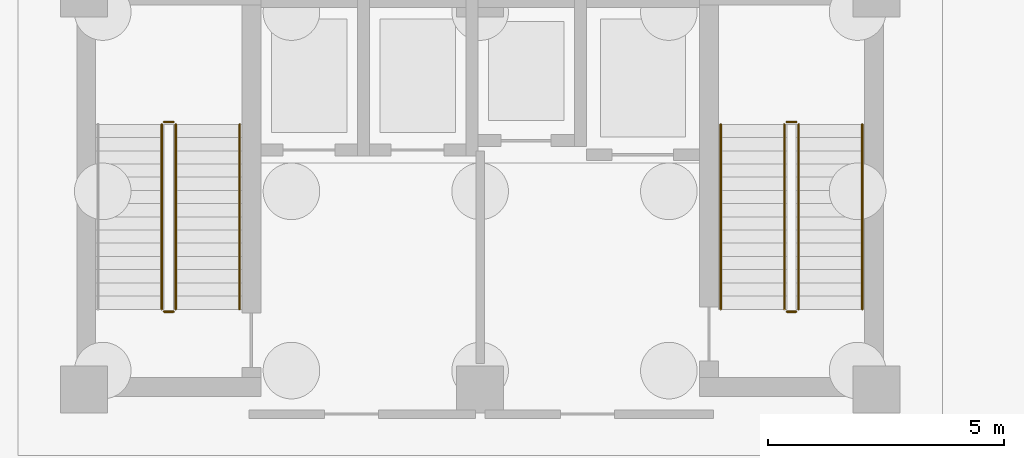
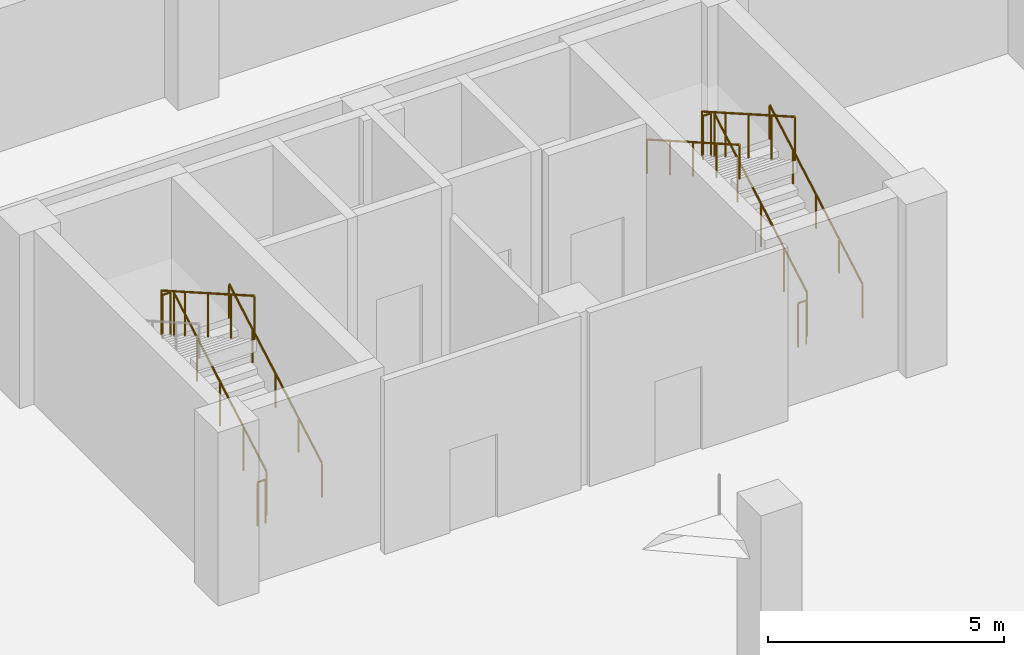
# One storey, part 17 of 18: 11 railings.
"""IFC4 building model written with IfcOpenShell, lengths in metres."""

from ifc_helpers import new_model, si_unit, direction, frame, origin, origin_2d, place, context, subcontext, project, spatial, circle, extrude, material, type_object, element, save


model = new_model("IFC4")

# Units and contexts
model_context = context("Model", 3, precision=1e-05, world=origin(), true_north=direction((0.0, 1.0)))
body_context = subcontext(model_context, "Body", "Model", "MODEL_VIEW")
ifc_project = project(units=[si_unit("LENGTHUNIT", "METRE"), si_unit("AREAUNIT", "SQUARE_METRE"), si_unit("VOLUMEUNIT", "CUBIC_METRE"), si_unit("PLANEANGLEUNIT", "RADIAN"), si_unit("MASSUNIT", "GRAM", prefix="KILO")], contexts=[model_context])

# Site, building, storey
site_placement = place(None, origin())
site = spatial("IfcSite", under=ifc_project, at=site_placement, CompositionType="ELEMENT")
building_placement = place(site_placement, origin())
building = spatial("IfcBuilding", under=site, at=building_placement, Name="Brinegate Botanical Conservatory", CompositionType="ELEMENT")
storey_placement = place(building_placement, frame((0.0, 0.0, -9.60009765625)))
storey = spatial("IfcBuildingStorey", under=building, at=storey_placement, Name="B2", CompositionType="ELEMENT", Elevation=-9.60009765625)

# Railings
ifc_material_1 = material(Name="Structural steel Q355B / S355 painted tubular guardrail", Category="steel")
railing_type_1 = type_object("IfcRailingType", Name="Rail_ST-GRD", PredefinedType="GUARDRAIL", material=ifc_material_1)
railing_1_placement = place(storey_placement, frame((140.75, 96.89990234375, 0.16015625)))
element("IfcRailing", 1, at=railing_1_placement, inside=storey, type_object=railing_type_1, Name="B2 ST1 stair guard 1", PredefinedType="GUARDRAIL", context=body_context, shape_type="SweptSolid", body=[
    extrude(circle(Radius=0.02392578125, at=origin_2d()), frame((0.0, 0.0, 1.1259765625), z_axis=(0.0, 0.86825312469, 0.496121468458), x_axis=(-1.0, 0.0, 0.0)), (0.0, 0.0, 1.0), 4.514892578125),
    extrude(circle(Radius=0.02099609375, at=origin_2d()), origin(), (0.0, 0.0, 1.0), 1.101806640625),
    extrude(circle(Radius=0.02099609375, at=origin_2d()), frame((0.0, 0.97998046875, 0.56005859375)), (0.0, 0.0, 1.0), 1.101806640625),
    extrude(circle(Radius=0.02099609375, at=origin_2d()), frame((0.0, 1.9599609375, 1.1201171875)), (0.0, 0.0, 1.0), 1.101806640625),
    extrude(circle(Radius=0.02099609375, at=origin_2d()), frame((0.0, 2.940185546875, 1.679931640625)), (0.0, 0.0, 1.0), 1.101806640625),
    extrude(circle(Radius=0.02099609375, at=origin_2d()), frame((0.0, 3.920166015625, 2.239990234375)), (0.0, 0.0, 1.0), 1.101806640625),
])
railing_2_placement = place(storey_placement, frame((140.699951171875, 100.8701171875, 2.400146484375)))
element("IfcRailing", 2, at=railing_2_placement, inside=storey, type_object=railing_type_1, Name="B2 ST1 stair guard 2", PredefinedType="GUARDRAIL", context=body_context, shape_type="SweptSolid", body=[
    extrude(circle(Radius=0.02392578125, at=origin_2d()), frame((0.0, 0.0, 1.1259765625), z_axis=(-1.0, 0.0, 0.0), x_axis=(0.0, -1.0, 0.0)), (0.0, 0.0, 1.0), 0.199951171875),
    extrude(circle(Radius=0.02099609375, at=origin_2d()), origin(), (0.0, 0.0, 1.0), 1.101806640625),
    extrude(circle(Radius=0.02099609375, at=origin_2d()), frame((-0.199951171875, 0.0, 0.0)), (0.0, 0.0, 1.0), 1.101806640625),
])
railing_3_placement = place(storey_placement, frame((140.449951171875, 100.820068359375, 2.56005859375)))
element("IfcRailing", 3, at=railing_3_placement, inside=storey, type_object=railing_type_1, Name="B2 ST1 stair guard 3", PredefinedType="GUARDRAIL", context=body_context, shape_type="SweptSolid", body=[
    extrude(circle(Radius=0.02392578125, at=origin_2d()), frame((0.0, 0.0, 1.1259765625), z_axis=(0.0, -0.86825312469, 0.496121468458), x_axis=(1.0, 0.0, 0.0)), (0.0, 0.0, 1.0), 4.514892578125),
    extrude(circle(Radius=0.02099609375, at=origin_2d()), origin(), (0.0, 0.0, 1.0), 1.101806640625),
    extrude(circle(Radius=0.02099609375, at=origin_2d()), frame((0.0, -0.97998046875, 0.56005859375)), (0.0, 0.0, 1.0), 1.101806640625),
    extrude(circle(Radius=0.02099609375, at=origin_2d()), frame((0.0, -1.9599609375, 1.1201171875)), (0.0, 0.0, 1.0), 1.101806640625),
    extrude(circle(Radius=0.02099609375, at=origin_2d()), frame((0.0, -2.940185546875, 1.679931640625)), (0.0, 0.0, 1.0), 1.101806640625),
    extrude(circle(Radius=0.02099609375, at=origin_2d()), frame((0.0, -3.920166015625, 2.239990234375)), (0.0, 0.0, 1.0), 1.101806640625),
])
railing_4_placement = place(storey_placement, frame((140.699951171875, 96.85009765625, 0.0)))
element("IfcRailing", 4, at=railing_4_placement, inside=storey, type_object=railing_type_1, Name="B2 ST1 stair guard 4", PredefinedType="GUARDRAIL", context=body_context, shape_type="SweptSolid", body=[
    extrude(circle(Radius=0.02392578125, at=origin_2d()), frame((0.0, 0.0, 1.1259765625), z_axis=(-1.0, 0.0, 0.0), x_axis=(0.0, -1.0, 0.0)), (0.0, 0.0, 1.0), 0.199951171875),
    extrude(circle(Radius=0.02099609375, at=origin_2d()), origin(), (0.0, 0.0, 1.0), 1.101806640625),
    extrude(circle(Radius=0.02099609375, at=origin_2d()), frame((-0.199951171875, 0.0, 0.0)), (0.0, 0.0, 1.0), 1.101806640625),
])
railing_5_placement = place(storey_placement, frame((153.949951171875, 96.89990234375, 0.16015625)))
element("IfcRailing", 5, at=railing_5_placement, inside=storey, type_object=railing_type_1, Name="B2 ST2 stair guard 1", PredefinedType="GUARDRAIL", context=body_context, shape_type="SweptSolid", body=[
    extrude(circle(Radius=0.02392578125, at=origin_2d()), frame((0.0, 0.0, 1.1259765625), z_axis=(0.0, 0.86825312469, 0.496121468458), x_axis=(-1.0, 0.0, 0.0)), (0.0, 0.0, 1.0), 4.514892578125),
    extrude(circle(Radius=0.02099609375, at=origin_2d()), origin(), (0.0, 0.0, 1.0), 1.101806640625),
    extrude(circle(Radius=0.02099609375, at=origin_2d()), frame((0.0, 0.97998046875, 0.56005859375)), (0.0, 0.0, 1.0), 1.101806640625),
    extrude(circle(Radius=0.02099609375, at=origin_2d()), frame((0.0, 1.9599609375, 1.1201171875)), (0.0, 0.0, 1.0), 1.101806640625),
    extrude(circle(Radius=0.02099609375, at=origin_2d()), frame((0.0, 2.940185546875, 1.679931640625)), (0.0, 0.0, 1.0), 1.101806640625),
    extrude(circle(Radius=0.02099609375, at=origin_2d()), frame((0.0, 3.920166015625, 2.239990234375)), (0.0, 0.0, 1.0), 1.101806640625),
])
railing_6_placement = place(storey_placement, frame((153.89990234375, 100.8701171875, 2.400146484375)))
element("IfcRailing", 6, at=railing_6_placement, inside=storey, type_object=railing_type_1, Name="B2 ST2 stair guard 2", PredefinedType="GUARDRAIL", context=body_context, shape_type="SweptSolid", body=[
    extrude(circle(Radius=0.02392578125, at=origin_2d()), frame((0.0, 0.0, 1.1259765625), z_axis=(-1.0, 0.0, 0.0), x_axis=(0.0, -1.0, 0.0)), (0.0, 0.0, 1.0), 0.199951171875),
    extrude(circle(Radius=0.02099609375, at=origin_2d()), origin(), (0.0, 0.0, 1.0), 1.101806640625),
    extrude(circle(Radius=0.02099609375, at=origin_2d()), frame((-0.199951171875, 0.0, 0.0)), (0.0, 0.0, 1.0), 1.101806640625),
])
railing_7_placement = place(storey_placement, frame((153.64990234375, 100.820068359375, 2.56005859375)))
element("IfcRailing", 7, at=railing_7_placement, inside=storey, type_object=railing_type_1, Name="B2 ST2 stair guard 3", PredefinedType="GUARDRAIL", context=body_context, shape_type="SweptSolid", body=[
    extrude(circle(Radius=0.02392578125, at=origin_2d()), frame((0.0, 0.0, 1.1259765625), z_axis=(0.0, -0.86825312469, 0.496121468458), x_axis=(1.0, 0.0, 0.0)), (0.0, 0.0, 1.0), 4.514892578125),
    extrude(circle(Radius=0.02099609375, at=origin_2d()), origin(), (0.0, 0.0, 1.0), 1.101806640625),
    extrude(circle(Radius=0.02099609375, at=origin_2d()), frame((0.0, -0.97998046875, 0.56005859375)), (0.0, 0.0, 1.0), 1.101806640625),
    extrude(circle(Radius=0.02099609375, at=origin_2d()), frame((0.0, -1.9599609375, 1.1201171875)), (0.0, 0.0, 1.0), 1.101806640625),
    extrude(circle(Radius=0.02099609375, at=origin_2d()), frame((0.0, -2.940185546875, 1.679931640625)), (0.0, 0.0, 1.0), 1.101806640625),
    extrude(circle(Radius=0.02099609375, at=origin_2d()), frame((0.0, -3.920166015625, 2.239990234375)), (0.0, 0.0, 1.0), 1.101806640625),
])
railing_8_placement = place(storey_placement, frame((153.89990234375, 96.85009765625, 0.0)))
element("IfcRailing", 8, at=railing_8_placement, inside=storey, type_object=railing_type_1, Name="B2 ST2 stair guard 4", PredefinedType="GUARDRAIL", context=body_context, shape_type="SweptSolid", body=[
    extrude(circle(Radius=0.02392578125, at=origin_2d()), frame((0.0, 0.0, 1.1259765625), z_axis=(-1.0, 0.0, 0.0), x_axis=(0.0, -1.0, 0.0)), (0.0, 0.0, 1.0), 0.199951171875),
    extrude(circle(Radius=0.02099609375, at=origin_2d()), origin(), (0.0, 0.0, 1.0), 1.101806640625),
    extrude(circle(Radius=0.02099609375, at=origin_2d()), frame((-0.199951171875, 0.0, 0.0)), (0.0, 0.0, 1.0), 1.101806640625),
])
ifc_material_2 = material(Name="Brushed stainless steel S355 handrail", Category="steel")
railing_type_2 = type_object("IfcRailingType", Name="Rail_ST-HND", PredefinedType="HANDRAIL", material=ifc_material_2)
for number, where, name in (
    (9, (142.10009765625, 96.89990234375, 0.16015625), "B2 ST1 stair handrail 1"),
    (10, (155.300048828125, 96.89990234375, 0.16015625), "B2 ST2 stair handrail 1"),
):
    element("IfcRailing", number, at=place(storey_placement, frame(where)), inside=storey, type_object=railing_type_2, Name=name, PredefinedType="HANDRAIL", context=body_context, shape_type="SweptSolid", body=[
        extrude(circle(Radius=0.02392578125, at=origin_2d()), frame((0.0, 0.0, 0.8759765625), z_axis=(0.0, 0.86825312469, 0.496121468458), x_axis=(-1.0, 0.0, 0.0)), (0.0, 0.0, 1.0), 4.514892578125),
        extrude(circle(Radius=0.02099609375, at=origin_2d()), origin(), (0.0, 0.0, 1.0), 0.851806640625),
        extrude(circle(Radius=0.02099609375, at=origin_2d()), frame((0.0, 0.97998046875, 0.56005859375)), (0.0, 0.0, 1.0), 0.851806640625),
        extrude(circle(Radius=0.02099609375, at=origin_2d()), frame((0.0, 1.9599609375, 1.1201171875)), (0.0, 0.0, 1.0), 0.851806640625),
        extrude(circle(Radius=0.02099609375, at=origin_2d()), frame((0.0, 2.940185546875, 1.679931640625)), (0.0, 0.0, 1.0), 0.851806640625),
        extrude(circle(Radius=0.02099609375, at=origin_2d()), frame((0.0, 3.920166015625, 2.239990234375)), (0.0, 0.0, 1.0), 0.851806640625),
    ])
railing_9_placement = place(storey_placement, frame((152.300048828125, 100.820068359375, 2.56005859375)))
element("IfcRailing", 11, at=railing_9_placement, inside=storey, type_object=railing_type_2, Name="B2 ST2 stair handrail 2", PredefinedType="HANDRAIL", context=body_context, shape_type="SweptSolid", body=[
    extrude(circle(Radius=0.02392578125, at=origin_2d()), frame((0.0, 0.0, 0.8759765625), z_axis=(0.0, -0.86825312469, 0.496121468458), x_axis=(1.0, 0.0, 0.0)), (0.0, 0.0, 1.0), 4.514892578125),
    extrude(circle(Radius=0.02099609375, at=origin_2d()), origin(), (0.0, 0.0, 1.0), 0.851806640625),
    extrude(circle(Radius=0.02099609375, at=origin_2d()), frame((0.0, -0.97998046875, 0.56005859375)), (0.0, 0.0, 1.0), 0.851806640625),
    extrude(circle(Radius=0.02099609375, at=origin_2d()), frame((0.0, -1.9599609375, 1.1201171875)), (0.0, 0.0, 1.0), 0.851806640625),
    extrude(circle(Radius=0.02099609375, at=origin_2d()), frame((0.0, -2.940185546875, 1.679931640625)), (0.0, 0.0, 1.0), 0.851806640625),
    extrude(circle(Radius=0.02099609375, at=origin_2d()), frame((0.0, -3.920166015625, 2.239990234375)), (0.0, 0.0, 1.0), 0.851806640625),
])

save(model, "model.ifc")
